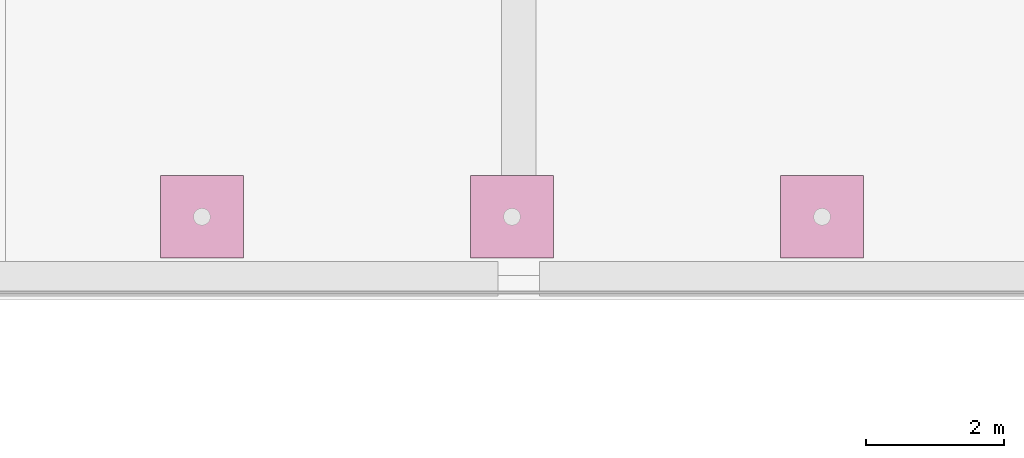
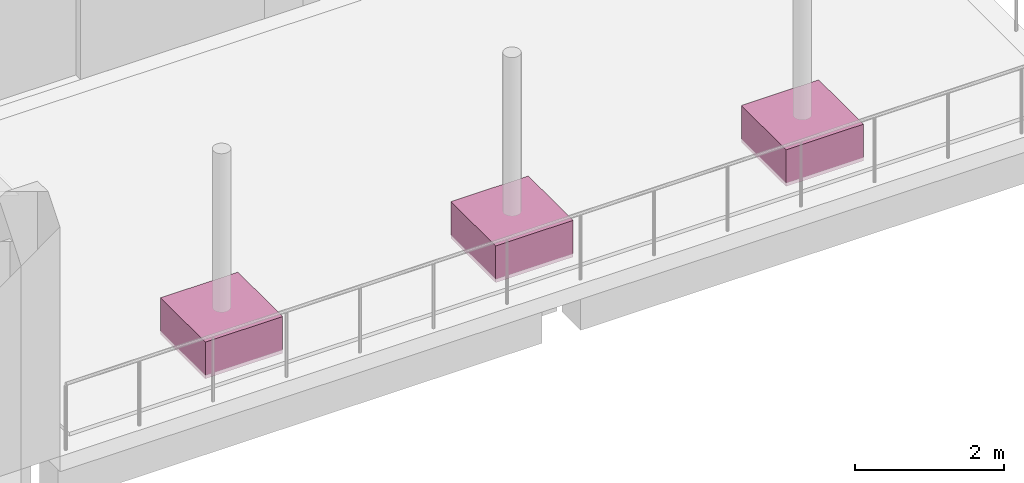
# One storey, part 37 of 38: 3 furniture elements.
"""IFC4 building model written with IfcOpenShell, lengths in metres."""

from ifc_helpers import new_model, si_unit, direction, frame, origin, origin_2d, place, context, subcontext, project, spatial, rectangle, extrude, element, save


model = new_model("IFC4")

# Units and contexts
model_context = context("Model", 3, precision=1e-05, world=origin(), true_north=direction((0.0, 1.0)))
body_context = subcontext(model_context, "Body", "Model", "MODEL_VIEW")
ifc_project = project(units=[si_unit("LENGTHUNIT", "METRE"), si_unit("AREAUNIT", "SQUARE_METRE"), si_unit("VOLUMEUNIT", "CUBIC_METRE"), si_unit("PLANEANGLEUNIT", "RADIAN"), si_unit("MASSUNIT", "GRAM", prefix="KILO")], contexts=[model_context])

# Site, building, storey
site_placement = place(None, origin())
site = spatial("IfcSite", under=ifc_project, at=site_placement, CompositionType="ELEMENT")
building_placement = place(site_placement, origin())
building = spatial("IfcBuilding", under=site, at=building_placement, Name="Frailejon Research Tower", CompositionType="ELEMENT")
storey_placement = place(building_placement, frame((0.0, 0.0, 10.199951171875)))
storey = spatial("IfcBuildingStorey", under=building, at=storey_placement, Name="L02", CompositionType="ELEMENT", Elevation=10.199951171875)

# Furniture
for number, where, z_axis, x_axis, name in (
    (1, (88.5, -19.35009765625, 0.0), (0.0, 0.0, 1.0), (1.0, 0.0, 0.0), "HC terrace planter"),
    (2, (93.0, -19.35009765625, 0.0), (0.0, 0.0, 1.0), (1.0, 0.0, 0.0), "HC terrace planter"),
    (3, (97.5, -19.35009765625, 0.0), (0.0, 0.0, 1.0), (1.0, 0.0, 0.0), "HC terrace planter"),
):
    element("IfcFurniture", number, at=place(storey_placement, frame(where, z_axis=z_axis, x_axis=x_axis)), inside=storey, Name=name, ObjectType="PLANTER", PredefinedType="USERDEFINED", context=body_context, shape_type="SweptSolid", body=[
        extrude(rectangle(XDim=1.199951171875, YDim=1.199951171875, at=origin_2d()), origin(), (0.0, 0.0, 1.0), 0.60009765625),
    ])

save(model, "model.ifc")
